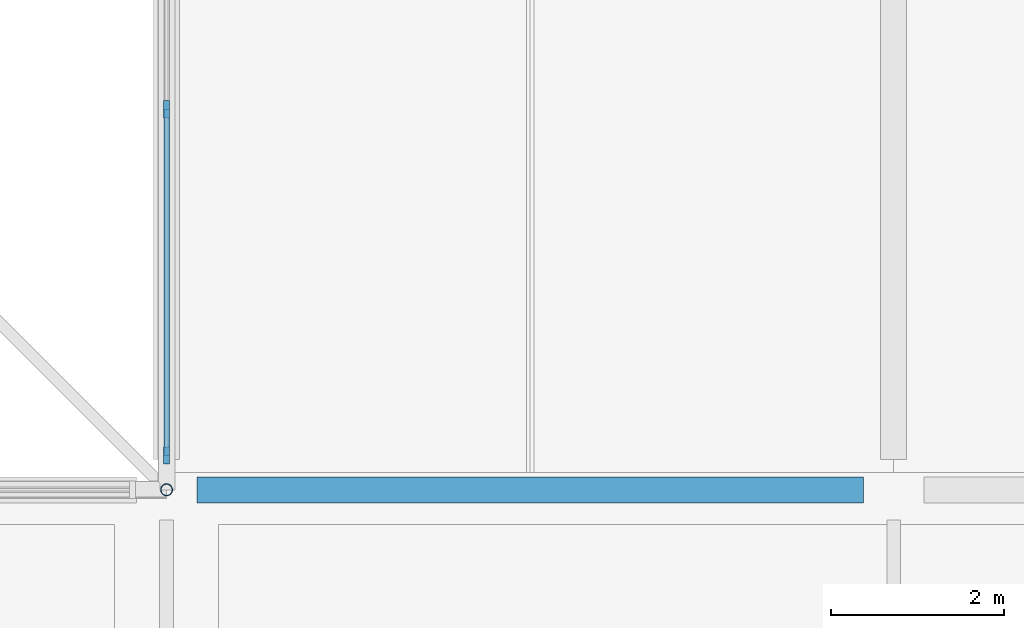
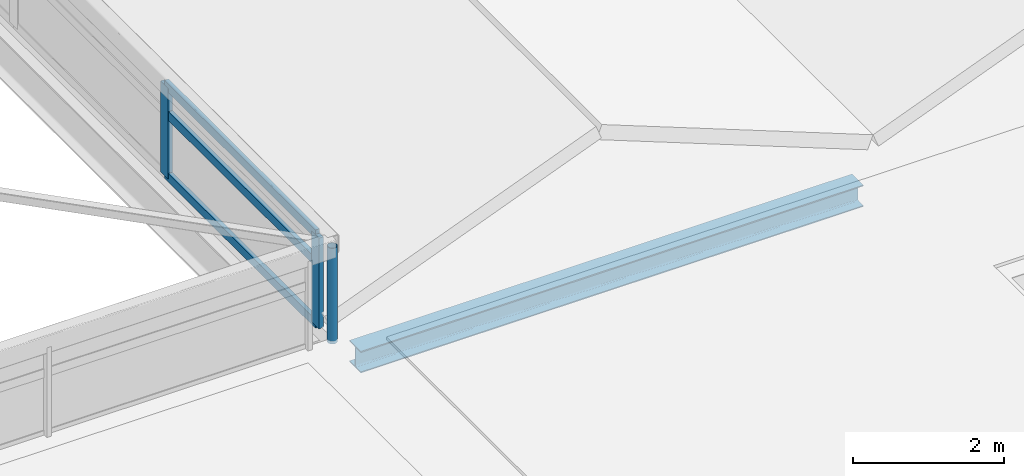
# One storey, part 61 of 81: 6 members, 1 beam, 1 element without a shape of its own.
"""IFC4 building model written with IfcOpenShell, lengths in metres."""

from ifc_helpers import new_model, si_unit, direction, frame, origin, origin_2d, place, context, subcontext, project, spatial, rectangle, hollow_circle, i_section, extrude, material, layer, layer_set, material_profile, profile_set, type_object, element, aggregate, save


model = new_model("IFC4")

# Units and contexts
model_context = context("Model", 3, precision=1e-05, world=origin(), true_north=direction((0.0, 1.0)))
body_context = subcontext(model_context, "Body", "Model", "MODEL_VIEW")
ifc_project = project(units=[si_unit("LENGTHUNIT", "METRE"), si_unit("AREAUNIT", "SQUARE_METRE"), si_unit("VOLUMEUNIT", "CUBIC_METRE"), si_unit("PLANEANGLEUNIT", "RADIAN"), si_unit("MASSUNIT", "GRAM", prefix="KILO")], contexts=[model_context])

# Site, building, storey
site_placement = place(None, origin())
site = spatial("IfcSite", under=ifc_project, at=site_placement, CompositionType="ELEMENT")
building_placement = place(site_placement, origin())
building = spatial("IfcBuilding", under=site, at=building_placement, Name="Qawsi Khor Wholesale Market", CompositionType="ELEMENT")
storey_placement = place(building_placement, frame((0.0, 0.0, 16.199951171875)))
storey = spatial("IfcBuildingStorey", under=building, at=storey_placement, Name="L03", CompositionType="ELEMENT", Elevation=16.199951171875)

# Curtain wall, members
ifc_material_1 = material(Name="Aluminium Anodised Bronze", Category="aluminium")
ifc_layer = layer(ifc_material_1, 0.179931640625, Name="Aluminium Anodised Bronze")
ifc_layer_set = layer_set([ifc_layer], Name="Aluminium Anodised Bronze")
curtain_wall_type = type_object("IfcCurtainWallType", Name="Atrium Full-Height Curtain Wall CW-02", PredefinedType="NOTDEFINED", material=ifc_layer_set)
curtain_wall_placement = place(storey_placement, origin())
curtain_wall = element("IfcCurtainWall", 1, at=curtain_wall_placement, inside=storey, type_object=curtain_wall_type, Name="Curtain wall CW-CW-02-L03-053", PredefinedType="NOTDEFINED")
ifc_material_profile_1 = material_profile(ifc_material_1, rectangle(XDim=0.070068359375, YDim=0.199951171875, at=origin_2d()), Name="ALU MULLION 70x200")
ifc_profile_set_1 = profile_set([ifc_material_profile_1], Name="Aluminium Anodised Bronze")
member_type_1 = type_object("IfcMemberType", Name="Curtain Wall Mullion CW-02 ALU MULLION 70x200", PredefinedType="MULLION", material=ifc_profile_set_1)
member_1_placement = place(storey_placement, frame((168.0, 25.594970703125, -0.02001953125), z_axis=(0.0, 0.0, 1.0), x_axis=(1.0, 0.0, 0.0)))
member_1 = element("IfcMember", 2, at=member_1_placement, type_object=member_type_1, Name="Mullion CW-CW-02-L03-053-M00", PredefinedType="MULLION", context=body_context, shape_type="SweptSolid", body=[
    extrude(rectangle(XDim=0.070068359375, YDim=0.199951171875, at=origin_2d()), origin(), (0.0, 0.0, 1.0), 1.469970703125),
])
member_2_placement = place(storey_placement, frame((168.0, 29.597412109375, -0.02001953125), z_axis=(0.0, 0.0, 1.0), x_axis=(1.0, 0.0, 0.0)))
member_2 = element("IfcMember", 3, at=member_2_placement, type_object=member_type_1, Name="Mullion CW-CW-02-L03-053-M01", PredefinedType="MULLION", context=body_context, shape_type="SweptSolid", body=[
    extrude(rectangle(XDim=0.070068359375, YDim=0.199951171875, at=origin_2d()), origin(), (0.0, 0.0, 1.0), 1.469970703125),
])
ifc_material_profile_2 = material_profile(ifc_material_1, rectangle(XDim=0.06494140625, YDim=0.139892578125, at=origin_2d()), Name="ALU TRANSOM 65x140")
ifc_profile_set_2 = profile_set([ifc_material_profile_2], Name="Aluminium Anodised Bronze")
member_type_2 = type_object("IfcMemberType", Name="Curtain Wall Transom CW-02 ALU TRANSOM 65x140", PredefinedType="USERDEFINED", material=ifc_profile_set_2)
member_3_placement = place(storey_placement, frame((168.0, 25.594970703125, 0.0), z_axis=(0.0, 1.0, 0.0), x_axis=(-1.0, 0.0, 0.0)))
member_3 = element("IfcMember", 4, at=member_3_placement, type_object=member_type_2, Name="Transom CW-CW-02-L03-053-T0_00", ObjectType="TRANSOM", PredefinedType="USERDEFINED", context=body_context, shape_type="SweptSolid", body=[
    extrude(rectangle(XDim=0.06494140625, YDim=0.139892578125, at=origin_2d()), origin(), (0.0, 0.0, 1.0), 4.00244140625),
])
member_4_placement = place(storey_placement, frame((168.0, 25.594970703125, 1.0), z_axis=(0.0, 1.0, 0.0), x_axis=(-1.0, 0.0, 0.0)))
member_4 = element("IfcMember", 5, at=member_4_placement, type_object=member_type_2, Name="Transom CW-CW-02-L03-053-T1_00", ObjectType="TRANSOM", PredefinedType="USERDEFINED", context=body_context, shape_type="SweptSolid", body=[
    extrude(rectangle(XDim=0.06494140625, YDim=0.139892578125, at=origin_2d()), origin(), (0.0, 0.0, 1.0), 4.00244140625),
])
member_5_placement = place(storey_placement, frame((168.0, 25.594970703125, 1.449951171875), z_axis=(0.0, 1.0, 0.0), x_axis=(-1.0, 0.0, 0.0)))
member_5 = element("IfcMember", 6, at=member_5_placement, type_object=member_type_2, Name="Transom CW-CW-02-L03-053-T2_00", ObjectType="TRANSOM", PredefinedType="USERDEFINED", context=body_context, shape_type="SweptSolid", body=[
    extrude(rectangle(XDim=0.06494140625, YDim=0.139892578125, at=origin_2d()), origin(), (0.0, 0.0, 1.0), 4.00244140625),
])
aggregate(curtain_wall, [member_1, member_2, member_3, member_4, member_5])

# Member
ifc_material_2 = material(Name="Steel S355", Category="steel")
ifc_material_profile_3 = material_profile(ifc_material_2, hollow_circle(Radius=0.06982421875, WallThickness=0.00634765625, at=origin_2d()), Name="CHS 139.7x6.3")
ifc_profile_set_3 = profile_set([ifc_material_profile_3], Name="Steel S355")
member_type_3 = type_object("IfcMemberType", Name="Lantern Corner Strut CHS 139.7x6.3", PredefinedType="STRUT", material=ifc_profile_set_3)
member_6_placement = place(storey_placement, frame((168.0, 25.199951171875, -0.050048828125), z_axis=(0.0, 0.0, 1.0), x_axis=(1.0, 0.0, 0.0)))
element("IfcMember", 7, at=member_6_placement, inside=storey, type_object=member_type_3, Name="Atrium lantern corner post EAT-2", PredefinedType="STRUT", context=body_context, shape_type="SweptSolid", body=[
    extrude(hollow_circle(Radius=0.06982421875, WallThickness=0.00634765625, at=origin_2d()), origin(), (0.0, 0.0, 1.0), 1.550048828125),
])

# Beam
ifc_material_profile_4 = material_profile(ifc_material_2, i_section(OverallWidth=0.300048828125, OverallDepth=0.35009765625, WebThickness=0.010009765625, FlangeThickness=0.017578125, FilletRadius=0.027099609375, at=origin_2d()), Name="HEA 360")
ifc_profile_set_4 = profile_set([ifc_material_profile_4], Name="Steel S355")
beam_type = type_object("IfcBeamType", Name="Primary Girder HEA 360", PredefinedType="BEAM", material=ifc_profile_set_4)
beam_placement = place(storey_placement, frame((168.35009765625, 25.199951171875, -0.425048828125), z_axis=(1.0, 0.0, 0.0), x_axis=(0.0, 1.0, 0.0)))
element("IfcBeam", 8, at=beam_placement, inside=storey, type_object=beam_type, Name="BM-X-L03-20_+03", PredefinedType="BEAM", context=body_context, shape_type="SweptSolid", body=[
    extrude(i_section(OverallWidth=0.300048828125, OverallDepth=0.35009765625, WebThickness=0.010009765625, FlangeThickness=0.017578125, FilletRadius=0.027099609375, at=origin_2d()), origin(), (0.0, 0.0, 1.0), 7.699951171875),
])

save(model, "model.ifc")
